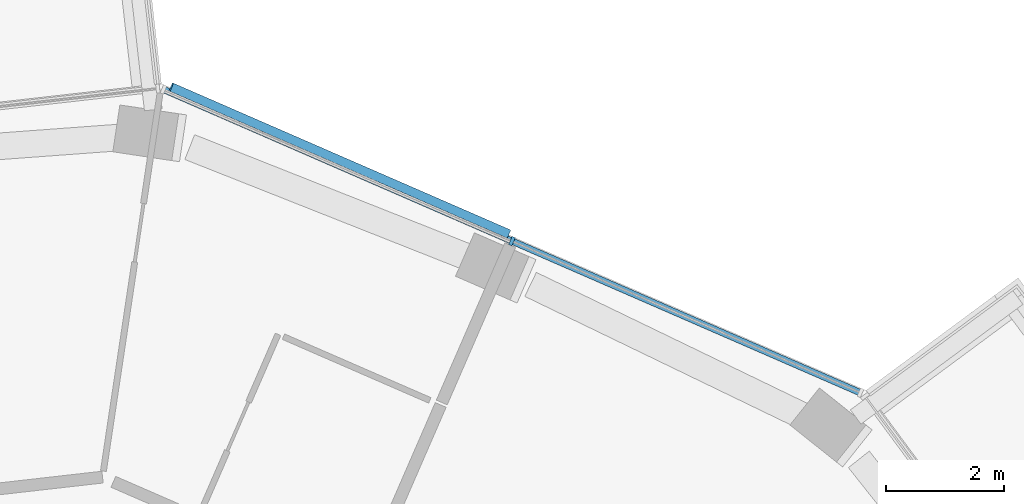
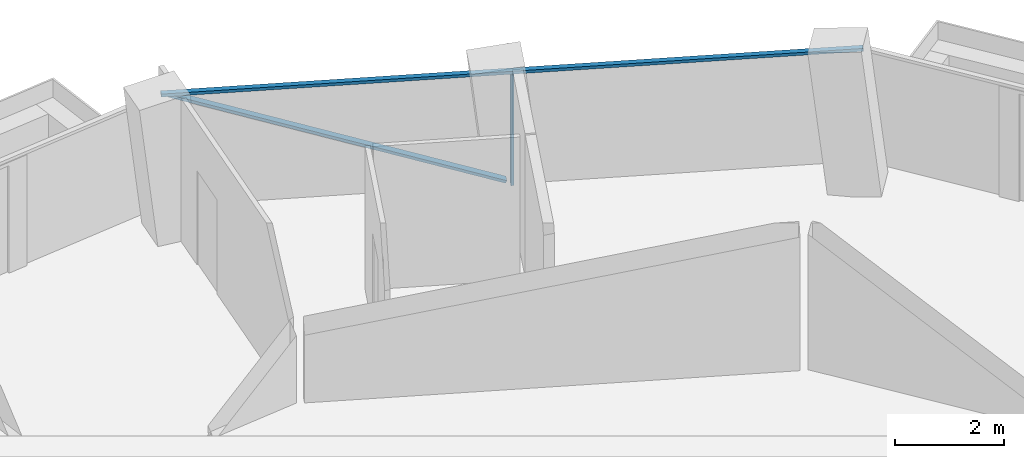
# One storey, part 10 of 23: 3 members, 1 element without a shape of its own.
"""IFC4 building model written with IfcOpenShell, lengths in metres."""

from ifc_helpers import new_model, si_unit, direction, frame, origin, origin_2d, place, context, subcontext, project, spatial, rectangle, extrude, material, layer, layer_set, material_profile, profile_set, type_object, element, aggregate, save


model = new_model("IFC4")

# Units and contexts
model_context = context("Model", 3, precision=1e-05, world=origin(), true_north=direction((0.0, 1.0)))
body_context = subcontext(model_context, "Body", "Model", "MODEL_VIEW")
ifc_project = project(units=[si_unit("LENGTHUNIT", "METRE"), si_unit("AREAUNIT", "SQUARE_METRE"), si_unit("VOLUMEUNIT", "CUBIC_METRE"), si_unit("PLANEANGLEUNIT", "RADIAN"), si_unit("MASSUNIT", "GRAM", prefix="KILO")], contexts=[model_context])

# Site, building, storey
site_placement = place(None, origin())
site = spatial("IfcSite", under=ifc_project, at=site_placement, CompositionType="ELEMENT")
building_placement = place(site_placement, origin())
building = spatial("IfcBuilding", under=site, at=building_placement, Name="Verdalira Terraces Hotel", CompositionType="ELEMENT")
storey_placement = place(building_placement, frame((0.0, 0.0, 183.5)))
storey = spatial("IfcBuildingStorey", under=building, at=storey_placement, Name="L44", CompositionType="ELEMENT", Elevation=183.5)

# Curtain wall, members
ifc_material_1 = material(Name="Clear glass", Category="glass")
ifc_layer = layer(ifc_material_1, 0.14990234375)
ifc_layer_set = layer_set([ifc_layer], Name="CW1 curtain wall")
curtain_wall_type = type_object("IfcCurtainWallType", Name="CW1 curtain wall", PredefinedType="NOTDEFINED", material=ifc_layer_set)
curtain_wall_placement = place(storey_placement, origin())
curtain_wall = element("IfcCurtainWall", 1, at=curtain_wall_placement, inside=storey, type_object=curtain_wall_type, Name="CW1 curtain wall L44 edge 40", PredefinedType="NOTDEFINED")
ifc_material_2 = material(Name="Terracotta frame", Category="masonry")
ifc_material_profile_1 = material_profile(ifc_material_2, rectangle(XDim=0.060059, YDim=0.149902, at=origin_2d()), Name="MU 60x150")
ifc_profile_set_1 = profile_set([ifc_material_profile_1], Name="Terracotta frame")
member_type_1 = type_object("IfcMemberType", Name="CW1 mullion 60x150", PredefinedType="MULLION", material=ifc_profile_set_1)
member_1_placement = place(storey_placement, frame((9.650879, 22.174316, 0.0), z_axis=(0.0, 0.0, 1.0), x_axis=(-0.916920829, 0.399069159, 0.0)))
member_1 = element("IfcMember", 2, at=member_1_placement, type_object=member_type_1, Name="CW1 mullion", PredefinedType="MULLION", context=body_context, shape_type="SweptSolid", body=[
    extrude(rectangle(XDim=0.060059, YDim=0.149902, at=origin_2d()), origin(), (0.0, 0.0, 1.0), 2.475098),
])
ifc_material_3 = material(Name="Terracotta frame", Category="masonry")
ifc_material_profile_2 = material_profile(ifc_material_3, rectangle(XDim=0.110107, YDim=0.064941, at=origin_2d()), Name="TR 65x110")
ifc_profile_set_2 = profile_set([ifc_material_profile_2], Name="Terracotta frame")
member_type_2 = type_object("IfcMemberType", Name="CW1 transom 65x110", PredefinedType="USERDEFINED", material=ifc_profile_set_2)
member_2_placement = place(storey_placement, frame((15.573975, 19.596191, 2.507568), z_axis=(-0.916914666, 0.399083319, 0.0), x_axis=(-0.399083319, -0.916914666, 0.0)))
member_2 = element("IfcMember", 3, at=member_2_placement, type_object=member_type_2, Name="CW1 transom", ObjectType="TRANSOM", PredefinedType="USERDEFINED", context=body_context, shape_type="SweptSolid", body=[
    extrude(rectangle(XDim=0.110107, YDim=0.064941, at=origin_2d()), origin(), (0.0, 0.0, 1.0), 12.919678),
])
ifc_material_4 = material(Name="Terracotta frame", Category="masonry")
ifc_material_profile_3 = material_profile(ifc_material_4, rectangle(XDim=0.149902, YDim=0.060059, at=origin_2d()), Name="GB 60x150")
ifc_profile_set_3 = profile_set([ifc_material_profile_3], Name="Terracotta frame")
member_type_3 = type_object("IfcMemberType", Name="Diagonal glazing bar 60x150", PredefinedType="USERDEFINED", material=ifc_profile_set_3)
member_3_placement = place(storey_placement, frame((9.591064, 22.297363, 0.028809), z_axis=(-0.854680442, 0.37196594, 0.362163888), x_axis=(-0.399056089, -0.916926517, 0.0)))
member_3 = element("IfcMember", 4, at=member_3_placement, type_object=member_type_3, Name="Diagonal glazing bar", ObjectType="GLAZING BAR", PredefinedType="USERDEFINED", context=body_context, shape_type="SweptSolid", body=[
    extrude(rectangle(XDim=0.149902, YDim=0.060059, at=origin_2d()), origin(), (0.0, 0.0, 1.0), 6.675049),
])
aggregate(curtain_wall, [member_1, member_2, member_3])

save(model, "model.ifc")
